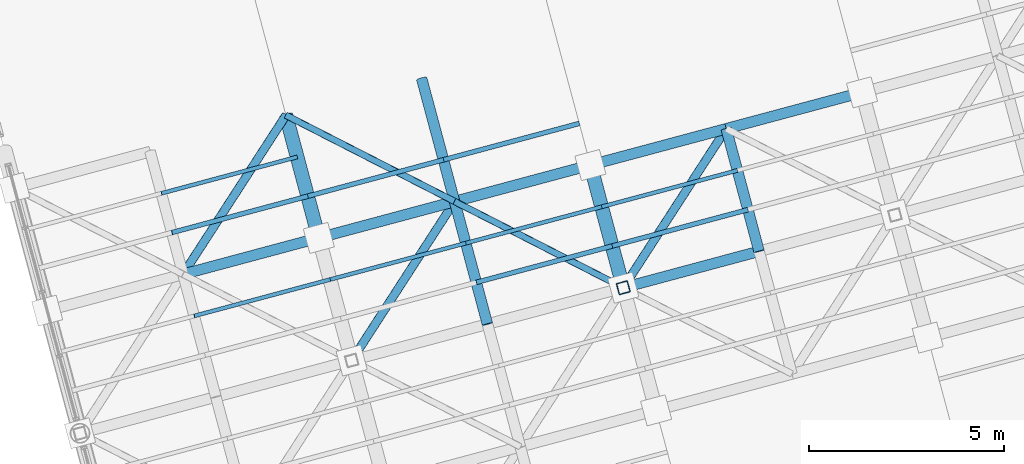
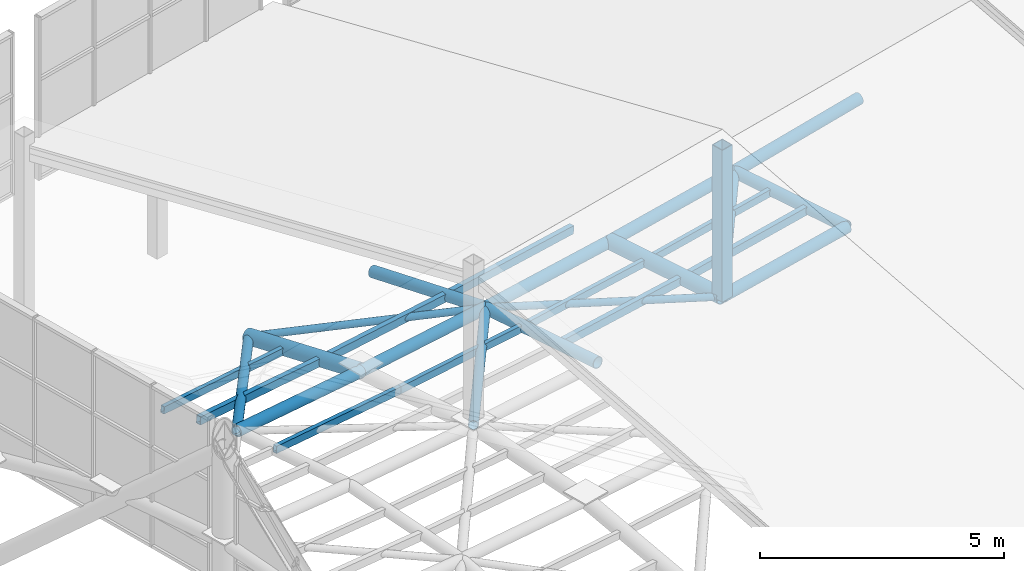
# One storey, part 9 of 28: 27 members.
"""IFC4 building model written with IfcOpenShell, lengths in metres."""

from ifc_helpers import new_model, si_unit, direction, frame, origin, origin_2d, place, context, subcontext, project, spatial, hollow_rectangle, hollow_circle, extrude, material, material_profile, profile_set, type_object, element, save


model = new_model("IFC4")

# Units and contexts
model_context = context("Model", 3, precision=1e-05, world=origin(), true_north=direction((0.0, 1.0)))
body_context = subcontext(model_context, "Body", "Model", "MODEL_VIEW")
ifc_project = project(units=[si_unit("LENGTHUNIT", "METRE"), si_unit("AREAUNIT", "SQUARE_METRE"), si_unit("VOLUMEUNIT", "CUBIC_METRE"), si_unit("PLANEANGLEUNIT", "RADIAN"), si_unit("MASSUNIT", "GRAM", prefix="KILO")], contexts=[model_context])

# Site, building, storey
site_placement = place(None, origin())
site = spatial("IfcSite", under=ifc_project, at=site_placement, CompositionType="ELEMENT")
building_placement = place(site_placement, origin())
building = spatial("IfcBuilding", under=site, at=building_placement, Name="Ventoquebrada Cableway Terminal", CompositionType="ELEMENT")
storey_placement = place(building_placement, frame((0.0, 0.0, 23.39990234375)))
storey = spatial("IfcBuildingStorey", under=building, at=storey_placement, Name="RF", CompositionType="ELEMENT", Elevation=23.39990234375)

# Members
ifc_material = material(Name="Steel ASTM A500 Grade C", Category="steel")
ifc_material_profile_1 = material_profile(ifc_material, hollow_circle(Radius=0.109619140625, WallThickness=0.010009765625, at=origin_2d()), Name="CHS219.1X10")
ifc_profile_set_1 = profile_set([ifc_material_profile_1], Name="Steel ASTM A500 Grade C")
member_type_1 = type_object("IfcMemberType", Name="BRC-GS01", PredefinedType="BRACE", material=ifc_profile_set_1)
member_1_placement = place(storey_placement, frame((51.25, 86.412109375, 0.443115234375), z_axis=(0.531651860611, 0.821039466873, -0.207943484983), x_axis=(-0.839387776795, 0.543533035028, 0.0)))
element("IfcMember", 1, at=member_1_placement, inside=storey, type_object=member_type_1, Name="Saddle gridshell diagrid brace GBR-0232", PredefinedType="BRACE", context=body_context, shape_type="SweptSolid", body=[
    extrude(hollow_circle(Radius=0.109619140625, WallThickness=0.010009765625, at=origin_2d()), origin(), (0.0, 0.0, 1.0), 4.9580078125),
])
member_2_placement = place(storey_placement, frame((55.568115234375, 84.205078125, 0.4091796875), z_axis=(0.541186086306, 0.835763341953, -0.09282917772), x_axis=(-0.839387776795, 0.543533035028, 0.0)))
element("IfcMember", 2, at=member_2_placement, inside=storey, type_object=member_type_1, Name="Saddle gridshell diagrid brace GBR-0253", PredefinedType="BRACE", context=body_context, shape_type="SweptSolid", body=[
    extrude(hollow_circle(Radius=0.109619140625, WallThickness=0.010009765625, at=origin_2d()), origin(), (0.0, 0.0, 1.0), 4.870849609375),
])
member_3_placement = place(storey_placement, frame((62.52294921875, 86.068115234375, 0.06298828125), z_axis=(0.54270611612, 0.838110751152, -0.055140187958), x_axis=(-0.839387776795, 0.543533035028, 0.0)))
element("IfcMember", 3, at=member_3_placement, inside=storey, type_object=member_type_1, Name="Saddle gridshell diagrid brace GBR-0301", PredefinedType="BRACE", context=body_context, shape_type="SweptSolid", body=[
    extrude(hollow_circle(Radius=0.109619140625, WallThickness=0.010009765625, at=origin_2d()), origin(), (0.0, 0.0, 1.0), 4.857177734375),
])
ifc_material_profile_2 = material_profile(ifc_material, hollow_circle(Radius=0.084228515625, WallThickness=0.008056640625, at=origin_2d()), Name="CHS168.3X8")
ifc_profile_set_2 = profile_set([ifc_material_profile_2], Name="Steel ASTM A500 Grade C")
member_type_2 = type_object("IfcMemberType", Name="BRC-GS02", PredefinedType="BRACE", material=ifc_profile_set_2)
member_4_placement = place(storey_placement, frame((53.885986328125, 90.48291015625, -0.587890625), z_axis=(0.884866256586, -0.452263863829, 0.11166514868), x_axis=(0.455110172756, 0.890435135568, 0.0)))
element("IfcMember", 4, at=member_4_placement, inside=storey, type_object=member_type_2, Name="Saddle gridshell diagrid brace GBR-0256", PredefinedType="BRACE", context=body_context, shape_type="SweptSolid", body=[
    extrude(hollow_circle(Radius=0.084228515625, WallThickness=0.008056640625, at=origin_2d()), origin(), (0.0, 0.0, 1.0), 4.8798828125),
])
member_5_placement = place(storey_placement, frame((58.2041015625, 88.27587890625, -0.04296875), z_axis=(0.890192843045, -0.455060140173, 0.021839666132), x_axis=(0.45516870426, 0.890405217113, 0.0)))
element("IfcMember", 5, at=member_5_placement, inside=storey, type_object=member_type_2, Name="Saddle gridshell diagrid brace GBR-0277", PredefinedType="BRACE", context=body_context, shape_type="SweptSolid", body=[
    extrude(hollow_circle(Radius=0.084228515625, WallThickness=0.008056640625, at=origin_2d()), origin(), (0.0, 0.0, 1.0), 4.8515625),
])
ifc_material_profile_3 = material_profile(ifc_material, hollow_circle(Radius=0.177734375, WallThickness=0.012451171875, at=origin_2d()), Name="CHS355.6X12.5")
ifc_profile_set_3 = profile_set([ifc_material_profile_3], Name="Steel ASTM A500 Grade C")
member_type_3 = type_object("IfcMemberType", Name="CHD-GS01", PredefinedType="CHORD", material=ifc_profile_set_3)
member_6_placement = place(storey_placement, frame((54.72705078125, 87.343994140625, 0.1591796875), z_axis=(-0.252237781762, 0.941370438351, -0.224048653757), x_axis=(-0.965926253902, -0.258817449225, 0.0)))
element("IfcMember", 6, at=member_6_placement, inside=storey, type_object=member_type_3, Name="Saddle gridshell arch chord GCH-0036", PredefinedType="CHORD", context=body_context, shape_type="SweptSolid", body=[
    extrude(hollow_circle(Radius=0.177734375, WallThickness=0.012451171875, at=origin_2d()), origin(), (0.0, 0.0, 1.0), 3.33447265625),
])
member_7_placement = place(storey_placement, frame((62.52294921875, 86.068115234375, 0.06298828125), z_axis=(-0.258114799549, 0.96360361016, -0.069604832738), x_axis=(-0.965946375494, -0.258742342242, 0.0)))
element("IfcMember", 7, at=member_7_placement, inside=storey, type_object=member_type_3, Name="Saddle gridshell arch chord GCH-0051", PredefinedType="CHORD", context=body_context, shape_type="SweptSolid", body=[
    extrude(hollow_circle(Radius=0.177734375, WallThickness=0.012451171875, at=origin_2d()), origin(), (0.0, 0.0, 1.0), 3.258544921875),
])
ifc_material_profile_4 = material_profile(ifc_material, hollow_circle(Radius=0.136474609375, WallThickness=0.012451171875, at=origin_2d()), Name="CHS273.0X12.5")
ifc_profile_set_4 = profile_set([ifc_material_profile_4], Name="Steel ASTM A500 Grade C")
member_type_4 = type_object("IfcMemberType", Name="CHD-GS02", PredefinedType="CHORD", material=ifc_profile_set_4)
member_8_placement = place(storey_placement, frame((59.044921875, 85.136962890625, 0.193115234375), z_axis=(-0.258067194043, 0.963405898321, -0.072459633171), x_axis=(-0.965945033724, -0.258747351337, 0.0)))
element("IfcMember", 8, at=member_8_placement, inside=storey, type_object=member_type_4, Name="Saddle gridshell arch chord GCH-0043", PredefinedType="CHORD", context=body_context, shape_type="SweptSolid", body=[
    extrude(hollow_circle(Radius=0.136474609375, WallThickness=0.012451171875, at=origin_2d()), origin(), (0.0, 0.0, 1.0), 3.258056640625),
])
member_9_placement = place(storey_placement, frame((58.2041015625, 88.27587890625, -0.04296875), z_axis=(-0.252883285288, 0.943852912113, -0.212583452596), x_axis=(-0.965931285943, -0.258798668539, 0.0)))
element("IfcMember", 9, at=member_9_placement, inside=storey, type_object=member_type_4, Name="Saddle gridshell arch chord GCH-0044", PredefinedType="CHORD", context=body_context, shape_type="SweptSolid", body=[
    extrude(hollow_circle(Radius=0.136474609375, WallThickness=0.012451171875, at=origin_2d()), origin(), (0.0, 0.0, 1.0), 3.325927734375),
])
member_10_placement = place(storey_placement, frame((66.0, 87.0, 0.02001953125), z_axis=(-0.258200093579, 0.963622236036, -0.069028239822), x_axis=(-0.965926253902, -0.258817449225, 0.0)))
element("IfcMember", 10, at=member_10_placement, inside=storey, type_object=member_type_4, Name="Saddle gridshell arch chord GCH-0059", PredefinedType="CHORD", context=body_context, shape_type="SweptSolid", body=[
    extrude(hollow_circle(Radius=0.136474609375, WallThickness=0.012451171875, at=origin_2d()), origin(), (0.0, 0.0, 1.0), 3.25732421875),
])
member_11_placement = place(storey_placement, frame((62.52294921875, 86.068115234375, 0.06298828125), z_axis=(0.965842309507, 0.258855504521, -0.011935700497), x_axis=(-0.258873944891, 0.965911114263, 0.0)))
element("IfcMember", 11, at=member_11_placement, inside=storey, type_object=member_type_4, Name="Saddle gridshell longitudinal chord GLG-0147", PredefinedType="CHORD", context=body_context, shape_type="SweptSolid", body=[
    extrude(hollow_circle(Radius=0.136474609375, WallThickness=0.012451171875, at=origin_2d()), origin(), (0.0, 0.0, 1.0), 3.60009765625),
])
member_12_placement = place(storey_placement, frame((51.25, 86.412109375, 0.443115234375), z_axis=(0.962920377015, 0.25807239707, -0.078631961696), x_axis=(-0.258873944891, 0.965911114263, 0.0)))
element("IfcMember", 12, at=member_12_placement, inside=storey, type_object=member_type_4, Name="Saddle gridshell longitudinal chord GLG-0154", PredefinedType="CHORD", context=body_context, shape_type="SweptSolid", body=[
    extrude(hollow_circle(Radius=0.136474609375, WallThickness=0.012451171875, at=origin_2d()), origin(), (0.0, 0.0, 1.0), 3.61083984375),
])
member_13_placement = place(storey_placement, frame((54.72705078125, 87.343994140625, 0.1591796875), z_axis=(0.964391705855, 0.258466728075, -0.056067710465), x_axis=(-0.258873944891, 0.965911114263, 0.0)))
element("IfcMember", 13, at=member_13_placement, inside=storey, type_object=member_type_4, Name="Saddle gridshell longitudinal chord GLG-0155", PredefinedType="CHORD", context=body_context, shape_type="SweptSolid", body=[
    extrude(hollow_circle(Radius=0.136474609375, WallThickness=0.012451171875, at=origin_2d()), origin(), (0.0, 0.0, 1.0), 3.60546875),
])
member_14_placement = place(storey_placement, frame((58.2041015625, 88.27587890625, -0.04296875), z_axis=(0.96536417111, 0.258740639193, -0.033545473127), x_axis=(-0.258886342435, 0.96590779151, 0.0)))
element("IfcMember", 14, at=member_14_placement, inside=storey, type_object=member_type_4, Name="Saddle gridshell longitudinal chord GLG-0156", PredefinedType="CHORD", context=body_context, shape_type="SweptSolid", body=[
    extrude(hollow_circle(Radius=0.136474609375, WallThickness=0.012451171875, at=origin_2d()), origin(), (0.0, 0.0, 1.0), 3.6025390625),
])
member_15_placement = place(storey_placement, frame((61.681884765625, 89.2080078125, -0.163818359375), z_axis=(0.965916214788, 0.258604025206, -0.01139404045), x_axis=(-0.258620813366, 0.965978920523, 0.0)))
element("IfcMember", 15, at=member_15_placement, inside=storey, type_object=member_type_4, Name="Saddle gridshell longitudinal chord GLG-0157", PredefinedType="CHORD", context=body_context, shape_type="SweptSolid", body=[
    extrude(hollow_circle(Radius=0.136474609375, WallThickness=0.012451171875, at=origin_2d()), origin(), (0.0, 0.0, 1.0), 3.599853515625),
])
member_16_placement = place(storey_placement, frame((65.158935546875, 90.138916015625, -0.204833984375), z_axis=(0.965831464592, 0.258920413693, 0.011393040728), x_axis=(-0.258937219442, 0.965894153822, 0.0)))
element("IfcMember", 16, at=member_16_placement, inside=storey, type_object=member_type_4, Name="Saddle gridshell longitudinal chord GLG-0158", PredefinedType="CHORD", context=body_context, shape_type="SweptSolid", body=[
    extrude(hollow_circle(Radius=0.136474609375, WallThickness=0.012451171875, at=origin_2d()), origin(), (0.0, 0.0, 1.0), 3.60009765625),
])
ifc_material_profile_5 = material_profile(ifc_material, hollow_rectangle(XDim=0.1201171875, YDim=0.199951171875, WallThickness=0.008056640625, at=origin_2d()), Name="RHS200X120X8")
ifc_profile_set_5 = profile_set([ifc_material_profile_5], Name="Steel ASTM A500 Grade C")
member_type_5 = type_object("IfcMemberType", Name="PUR-RF01", PredefinedType="PURLIN", material=ifc_profile_set_5)
member_17_placement = place(storey_placement, frame((50.964111328125, 87.47998046875, 0.169189453125), z_axis=(0.963383247533, 0.257943987279, -0.073195749865), x_axis=(-0.258637758898, 0.965974383549, 0.0)))
element("IfcMember", 17, at=member_17_placement, inside=storey, type_object=member_type_5, Name="Gridshell secondary roof purlin GPR-0233", PredefinedType="PURLIN", context=body_context, shape_type="SweptSolid", body=[
    extrude(hollow_rectangle(XDim=0.1201171875, YDim=0.199951171875, WallThickness=0.008056640625, at=origin_2d()), origin(), (0.0, 0.0, 1.0), 3.60888671875),
])
member_18_placement = place(storey_placement, frame((54.44091796875, 88.410888671875, -0.094970703125), z_axis=(0.96457980408, 0.258584868135, -0.052150431761), x_axis=(-0.258937219442, 0.965894153822, 0.0)))
element("IfcMember", 18, at=member_18_placement, inside=storey, type_object=member_type_5, Name="Gridshell secondary roof purlin GPR-0257", PredefinedType="PURLIN", context=body_context, shape_type="SweptSolid", body=[
    extrude(hollow_rectangle(XDim=0.1201171875, YDim=0.199951171875, WallThickness=0.008056640625, at=origin_2d()), origin(), (0.0, 0.0, 1.0), 3.604736328125),
])
member_19_placement = place(storey_placement, frame((58.759033203125, 86.2041015625, 0.113037109375), z_axis=(0.965329465846, 0.258645414231, -0.035235948494), x_axis=(-0.25880612736, 0.965929287495, 0.0)))
element("IfcMember", 19, at=member_19_placement, inside=storey, type_object=member_type_5, Name="Gridshell secondary roof purlin GPR-0278", PredefinedType="PURLIN", context=body_context, shape_type="SweptSolid", body=[
    extrude(hollow_rectangle(XDim=0.1201171875, YDim=0.199951171875, WallThickness=0.008056640625, at=origin_2d()), origin(), (0.0, 0.0, 1.0), 3.60302734375),
])
member_20_placement = place(storey_placement, frame((57.91796875, 89.343017578125, -0.282958984375), z_axis=(0.96544541887, 0.258676482088, -0.031648393276), x_axis=(-0.25880612736, 0.965929287495, 0.0)))
element("IfcMember", 20, at=member_20_placement, inside=storey, type_object=member_type_5, Name="Gridshell secondary roof purlin GPR-0281", PredefinedType="PURLIN", context=body_context, shape_type="SweptSolid", body=[
    extrude(hollow_rectangle(XDim=0.1201171875, YDim=0.199951171875, WallThickness=0.008056640625, at=origin_2d()), origin(), (0.0, 0.0, 1.0), 3.6025390625),
])
member_21_placement = place(storey_placement, frame((62.237060546875, 87.135986328125, -0.013916015625), z_axis=(0.965910101276, 0.25860238844, -0.011936538255), x_axis=(-0.258620813366, 0.965978920523, 0.0)))
element("IfcMember", 21, at=member_21_placement, inside=storey, type_object=member_type_5, Name="Gridshell secondary roof purlin GPR-0302", PredefinedType="PURLIN", context=body_context, shape_type="SweptSolid", body=[
    extrude(hollow_rectangle(XDim=0.1201171875, YDim=0.199951171875, WallThickness=0.008056640625, at=origin_2d()), origin(), (0.0, 0.0, 1.0), 3.599853515625),
])
ifc_material_profile_6 = material_profile(ifc_material, hollow_rectangle(XDim=0.10009765625, YDim=0.179931640625, WallThickness=0.008056640625, at=origin_2d()), Name="RHS180X100X8")
ifc_profile_set_6 = profile_set([ifc_material_profile_6], Name="Steel ASTM A500 Grade C")
member_type_6 = type_object("IfcMemberType", Name="PUR-RF02", PredefinedType="PURLIN", material=ifc_profile_set_6)
member_22_placement = place(storey_placement, frame((51.535888671875, 85.344970703125, 0.5341796875), z_axis=(0.962774248899, 0.258100834314, -0.080310055308), x_axis=(-0.258937219442, 0.965894153822, 0.0)))
element("IfcMember", 22, at=member_22_placement, inside=storey, type_object=member_type_6, Name="Gridshell secondary roof purlin GPR-0231", PredefinedType="PURLIN", context=body_context, shape_type="SweptSolid", body=[
    extrude(hollow_rectangle(XDim=0.10009765625, YDim=0.179931640625, WallThickness=0.008056640625, at=origin_2d()), origin(), (0.0, 0.0, 1.0), 3.611572265625),
])
member_23_placement = place(storey_placement, frame((50.694091796875, 88.48388671875, -0.087890625), z_axis=(0.963664315838, 0.258266907052, -0.0681857104), x_axis=(-0.258869387716, 0.96591233562, 0.0)))
element("IfcMember", 23, at=member_23_placement, inside=storey, type_object=member_type_6, Name="Gridshell secondary roof purlin GPR-0234", PredefinedType="PURLIN", context=body_context, shape_type="SweptSolid", body=[
    extrude(hollow_rectangle(XDim=0.10009765625, YDim=0.179931640625, WallThickness=0.008056640625, at=origin_2d()), origin(), (0.0, 0.0, 1.0), 3.609130859375),
])
member_24_placement = place(storey_placement, frame((55.012939453125, 86.277099609375, 0.244140625), z_axis=(0.964317601728, 0.25844686742, -0.057417590666), x_axis=(-0.258873944891, 0.965911114263, 0.0)))
element("IfcMember", 24, at=member_24_placement, inside=storey, type_object=member_type_6, Name="Gridshell secondary roof purlin GPR-0255", PredefinedType="PURLIN", context=body_context, shape_type="SweptSolid", body=[
    extrude(hollow_rectangle(XDim=0.10009765625, YDim=0.179931640625, WallThickness=0.008056640625, at=origin_2d()), origin(), (0.0, 0.0, 1.0), 3.605712890625),
])
member_25_placement = place(storey_placement, frame((58.489990234375, 87.208984375, 0.037109375), z_axis=(0.96542445774, 0.258399793441, -0.034426198549), x_axis=(-0.258553052639, 0.965997059504, 0.0)))
element("IfcMember", 25, at=member_25_placement, inside=storey, type_object=member_type_6, Name="Gridshell secondary roof purlin GPR-0279", PredefinedType="PURLIN", context=body_context, shape_type="SweptSolid", body=[
    extrude(hollow_rectangle(XDim=0.10009765625, YDim=0.179931640625, WallThickness=0.008056640625, at=origin_2d()), origin(), (0.0, 0.0, 1.0), 3.6025390625),
])
member_26_placement = place(storey_placement, frame((61.968017578125, 88.139892578125, -0.0869140625), z_axis=(0.965831464592, 0.258920413693, -0.011393040728), x_axis=(-0.258937219442, 0.965894153822, 0.0)))
element("IfcMember", 26, at=member_26_placement, inside=storey, type_object=member_type_6, Name="Gridshell secondary roof purlin GPR-0303", PredefinedType="PURLIN", context=body_context, shape_type="SweptSolid", body=[
    extrude(hollow_rectangle(XDim=0.10009765625, YDim=0.179931640625, WallThickness=0.008056640625, at=origin_2d()), origin(), (0.0, 0.0, 1.0), 3.60009765625),
])
ifc_material_profile_7 = material_profile(ifc_material, hollow_rectangle(XDim=0.300048828125, YDim=0.300048828125, WallThickness=0.01611328125, at=origin_2d()), Name="HSS300X300X16")
ifc_profile_set_7 = profile_set([ifc_material_profile_7], Name="Steel ASTM A500 Grade C")
member_type_7 = type_object("IfcMemberType", Name="STR-VS01", PredefinedType="STRUT", material=ifc_profile_set_7)
member_27_placement = place(storey_placement, frame((62.52294921875, 86.068115234375, 0.06298828125), z_axis=(0.0, 0.0, 1.0), x_axis=(0.965925826289, 0.258819045103, 0.0)))
element("IfcMember", 27, at=member_27_placement, inside=storey, type_object=member_type_7, Name="Gridshell deck stand-off post GS-SP-0446", PredefinedType="STRUT", context=body_context, shape_type="SweptSolid", body=[
    extrude(hollow_rectangle(XDim=0.300048828125, YDim=0.300048828125, WallThickness=0.01611328125, at=origin_2d()), origin(), (0.0, 0.0, 1.0), 3.7919921875),
])

save(model, "model.ifc")
